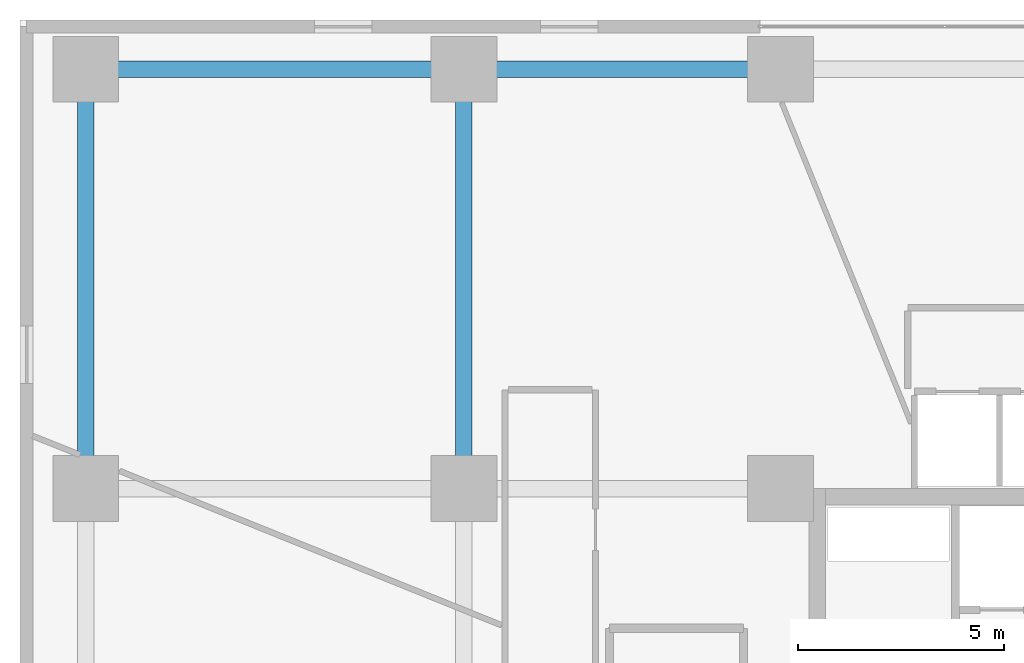
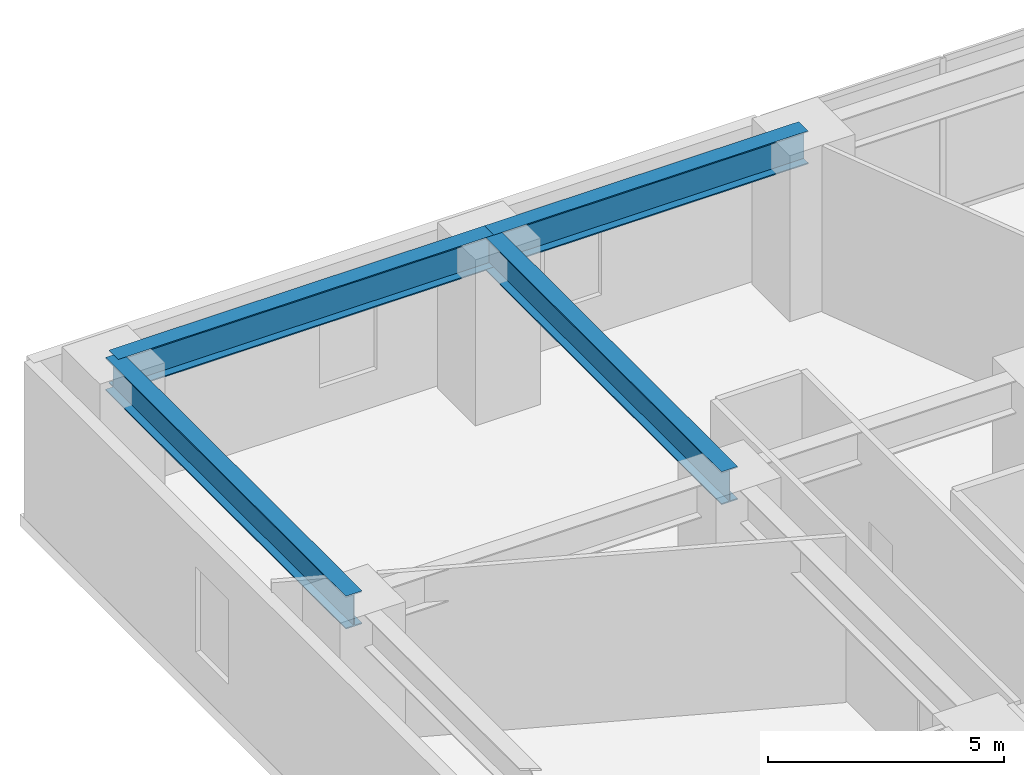
# One storey, part 9 of 24: 4 beams.
"""IFC4 building model written with IfcOpenShell, lengths in metres."""

from ifc_helpers import new_model, si_unit, direction, frame, origin, origin_2d, place, context, subcontext, project, spatial, i_section, extrude, material, material_profile, profile_set, type_object, element, save


model = new_model("IFC4")

# Units and contexts
model_context = context("Model", 3, precision=1e-05, world=origin(), true_north=direction((0.0, 1.0)))
body_context = subcontext(model_context, "Body", "Model", "MODEL_VIEW")
ifc_project = project(units=[si_unit("LENGTHUNIT", "METRE"), si_unit("AREAUNIT", "SQUARE_METRE"), si_unit("VOLUMEUNIT", "CUBIC_METRE"), si_unit("PLANEANGLEUNIT", "RADIAN"), si_unit("MASSUNIT", "GRAM", prefix="KILO")], contexts=[model_context])

# Site, building, storey
site_placement = place(None, origin())
site = spatial("IfcSite", under=ifc_project, at=site_placement, CompositionType="ELEMENT")
building_placement = place(site_placement, origin())
building = spatial("IfcBuilding", under=site, at=building_placement, Name="Talar Marvaseh", CompositionType="ELEMENT")
storey_placement = place(building_placement, frame((0.0, 0.0, 9.800048828125)))
storey = spatial("IfcBuildingStorey", under=building, at=storey_placement, Name="L02", CompositionType="ELEMENT", Elevation=9.800048828125)

# Beams
ifc_material = material(Name="Steel S355", Category="steel")
ifc_material_profile = material_profile(ifc_material, i_section(OverallWidth=0.39990234375, OverallDepth=0.85498046875, WebThickness=0.018310546875, FlangeThickness=0.029296875, at=origin_2d()), Name="W840x299")
ifc_profile_set = profile_set([ifc_material_profile], Name="Steel S355")
beam_type = type_object("IfcBeamType", Name="Concourse Primary Girder W840x299", PredefinedType="BEAM", material=ifc_profile_set)
beam_1_placement = place(storey_placement, frame((1.60009765625, 46.800048828125, 3.87255859375), z_axis=(1.0, 0.0, 0.0), x_axis=(0.0, 1.0, 0.0)))
element("IfcBeam", 1, at=beam_1_placement, inside=storey, type_object=beam_type, Name="L02 Concourse Primary Girder W840x299", PredefinedType="BEAM", context=body_context, shape_type="SweptSolid", body=[
    extrude(i_section(OverallWidth=0.39990234375, OverallDepth=0.85498046875, WebThickness=0.018310546875, FlangeThickness=0.029296875, at=origin_2d()), origin(), (0.0, 0.0, 1.0), 9.199951171875),
])
beam_2_placement = place(storey_placement, frame((10.800048828125, 46.800048828125, 3.87255859375), z_axis=(1.0, 0.0, 0.0), x_axis=(0.0, 1.0, 0.0)))
element("IfcBeam", 2, at=beam_2_placement, inside=storey, type_object=beam_type, Name="L02 Concourse Primary Girder W840x299", PredefinedType="BEAM", context=body_context, shape_type="SweptSolid", body=[
    extrude(i_section(OverallWidth=0.39990234375, OverallDepth=0.85498046875, WebThickness=0.018310546875, FlangeThickness=0.029296875, at=origin_2d()), origin(), (0.0, 0.0, 1.0), 7.699951171875),
])
for number, where, z_axis, x_axis, name in (
    (3, (1.60009765625, 36.60009765625, 3.87255859375), (0.0, 1.0, 0.0), (-1.0, 0.0, 0.0), "L02 Concourse Primary Girder W840x299"),
    (4, (10.800048828125, 36.60009765625, 3.87255859375), (0.0, 1.0, 0.0), (-1.0, 0.0, 0.0), "L02 Concourse Primary Girder W840x299"),
):
    element("IfcBeam", number, at=place(storey_placement, frame(where, z_axis=z_axis, x_axis=x_axis)), inside=storey, type_object=beam_type, Name=name, PredefinedType="BEAM", context=body_context, shape_type="SweptSolid", body=[
        extrude(i_section(OverallWidth=0.39990234375, OverallDepth=0.85498046875, WebThickness=0.018310546875, FlangeThickness=0.029296875, at=origin_2d()), origin(), (0.0, 0.0, 1.0), 10.199951171875),
    ])

save(model, "model.ifc")
